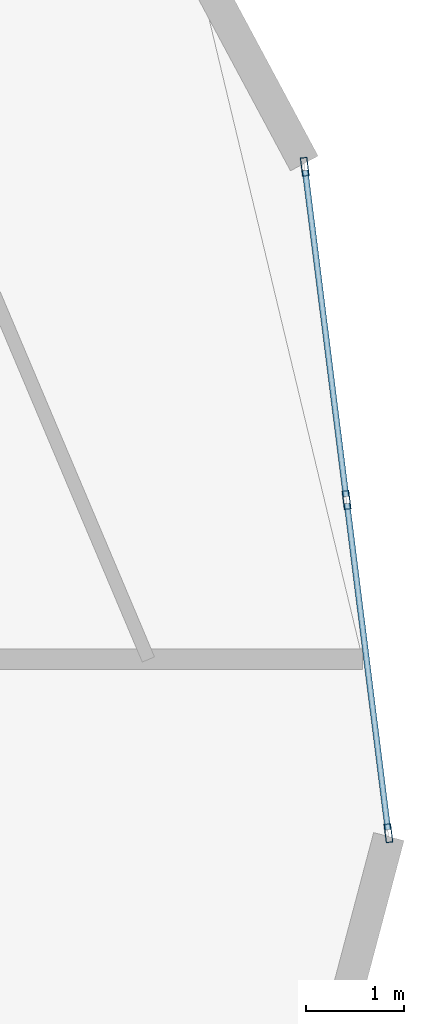
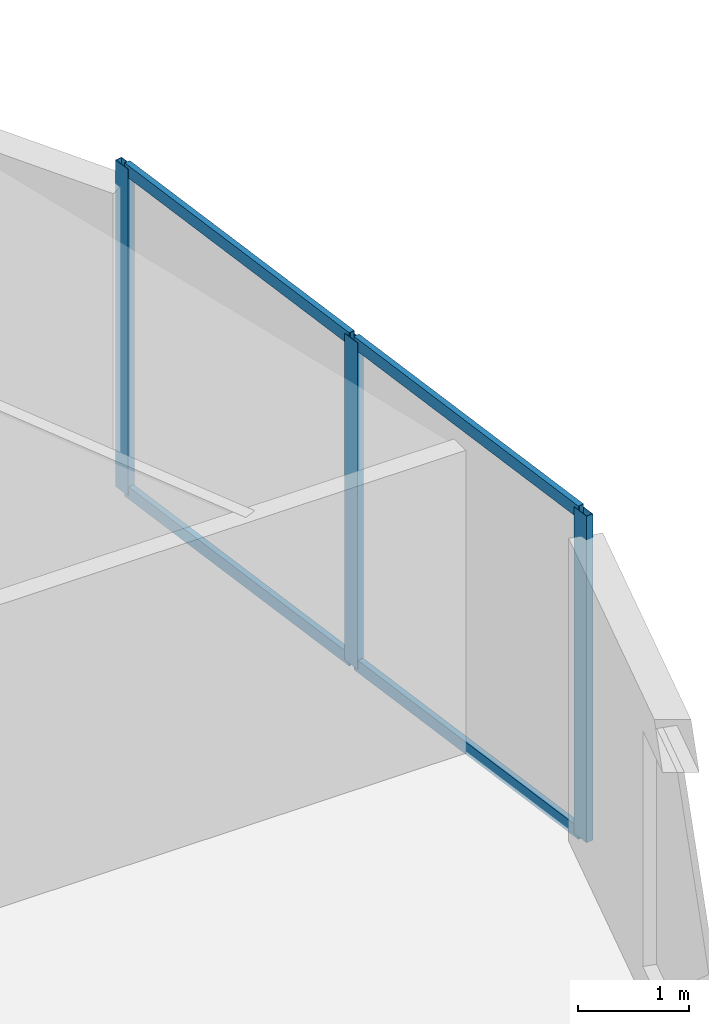
# One storey, part 12 of 26: 7 members, 1 element without a shape of its own.
"""IFC4 building model written with IfcOpenShell, lengths in metres."""

import ifcopenshell
import ifcopenshell.guid

model = None  # the IFC model being written
_history = None  # IfcOwnerHistory: only IFC2X3 demands one
_inside = {}  # id of a spatial element -> (the spatial element, [elements in it])
_under = {}  # id of a project, library or spatial element -> (it, [spatial elements below it])
_declared = {}  # id of a project -> (the project, [libraries it declares])
_typed = {}  # id of a type object -> (the type object, [elements of that type])
_made_of = {}  # id of a material, layer set ... -> (it, [elements and type objects made of it])


def new_model(schema):
    """Start an empty IFC model of exactly this schema.

    Asked for "IFC4X3", IfcOpenShell would pick the latest addendum, in which some entities
    have other attributes; the version numbers below select the first issue.
    IFC2X3 requires an IfcOwnerHistory on every rooted entity: one is made here for all.
    """
    global model, _history
    if schema == "IFC4X3":
        model = ifcopenshell.file(schema_version=(4, 3, 0, 0))
    else:
        model = ifcopenshell.file(schema=schema)
    _inside.clear()
    _under.clear()
    _declared.clear()
    _typed.clear()
    _made_of.clear()
    _history = None
    if model.schema == "IFC2X3":
        org = make("IfcOrganization", Name="unknown")
        user = make(
            "IfcPersonAndOrganization",
            ThePerson=make("IfcPerson", FamilyName="unknown"),
            TheOrganization=org,
        )
        app = make(
            "IfcApplication",
            ApplicationDeveloper=org,
            Version="unknown",
            ApplicationFullName="unknown",
            ApplicationIdentifier="unknown",
        )
        _history = make(
            "IfcOwnerHistory",
            OwningUser=user,
            OwningApplication=app,
            ChangeAction="ADDED",
            CreationDate=0,
        )
    return model


def make(cls, **values):
    """One entity of the class cls with the attributes given. An attribute that is None is left unset."""
    return model.create_entity(
        cls, **{name: value for name, value in values.items() if value is not None}
    )


def rooted(cls, **values):
    """An entity with a GlobalId (a new one), such as an element, a storey or a relation."""
    return make(cls, GlobalId=ifcopenshell.guid.new(), OwnerHistory=_history, **values)


def si_unit(unit_type, name, prefix=None):
    """IfcSIUnit, for example si_unit("LENGTHUNIT", "METRE", prefix="MILLI")."""
    return make("IfcSIUnit", UnitType=unit_type, Prefix=prefix, Name=name)


def assignment(units):
    """IfcUnitAssignment: the units of a project."""
    return None if units is None else make("IfcUnitAssignment", Units=units)


def point(xyz):
    """IfcCartesianPoint."""
    return None if xyz is None else make("IfcCartesianPoint", Coordinates=xyz)


def direction(xyz):
    """IfcDirection."""
    return None if xyz is None else make("IfcDirection", DirectionRatios=xyz)


def frame(location, z_axis=None, x_axis=None):
    """IfcAxis2Placement3D, a coordinate frame: its origin and axes. An axis left out is left unset."""
    return make(
        "IfcAxis2Placement3D",
        Location=point(location),
        Axis=direction(z_axis),
        RefDirection=direction(x_axis),
    )


def frame_2d(location, x_axis=None):
    """IfcAxis2Placement2D, a coordinate frame in the plane: its origin and x axis."""
    return make(
        "IfcAxis2Placement2D", Location=point(location), RefDirection=direction(x_axis)
    )


def origin():
    """The frame at (0, 0, 0) with its axes left unset."""
    return frame((0.0, 0.0, 0.0))


def origin_2d():
    """The frame at (0, 0) in the plane with its x axis left unset."""
    return frame_2d((0.0, 0.0))


def place(relative_to, where):
    """IfcLocalPlacement: puts the frame where relative to a parent placement (None: the world)."""
    return make(
        "IfcLocalPlacement", PlacementRelTo=relative_to, RelativePlacement=where
    )


def context(
    kind, dimensions, precision=None, world=None, true_north=None, identifier=None
):
    """IfcGeometricRepresentationContext, for example the 3D "Model" context."""
    return make(
        "IfcGeometricRepresentationContext",
        ContextIdentifier=identifier,
        ContextType=kind,
        CoordinateSpaceDimension=dimensions,
        Precision=precision,
        WorldCoordinateSystem=world,
        TrueNorth=true_north,
    )


def subcontext(parent, identifier, kind, view, scale=None):
    """IfcGeometricRepresentationSubContext, for example "Body" below "Model"."""
    return make(
        "IfcGeometricRepresentationSubContext",
        ContextIdentifier=identifier,
        ContextType=kind,
        ParentContext=parent,
        TargetScale=scale,
        TargetView=view,
    )


def project(units=None, contexts=None):
    """IfcProject with its units and contexts."""
    return rooted(
        "IfcProject",
        Name="project",
        RepresentationContexts=contexts,
        UnitsInContext=assignment(units),
    )


def spatial(cls, under=None, at=None, **own):
    """A site, building, storey or space (cls), placed at a placement, below another one or the project."""
    s = rooted(cls, ObjectPlacement=at, **own)
    if under is not None:
        _under.setdefault(under.id(), (under, []))[1].append(s)
    return s


def profile(cls, at=None, kind="AREA", **sizes):
    """A parametric profile (cls). Its sizes go by their IFC names, for example OverallWidth=200.0."""
    return make(cls, ProfileType=kind, Position=at, **sizes)


def hollow_rectangle(**sizes):
    """IfcRectangleHollowProfileDef."""
    return profile("IfcRectangleHollowProfileDef", **sizes)


def extrude(swept, where, along, depth):
    """IfcExtrudedAreaSolid: the profile swept, set in the frame where, extruded along a direction by depth."""
    return make(
        "IfcExtrudedAreaSolid",
        SweptArea=swept,
        Position=where,
        ExtrudedDirection=direction(along),
        Depth=depth,
    )


def shape(context_of_items, identifier, shape_type, items):
    """IfcShapeRepresentation: the items that make up one representation, for example the "Body"."""
    return make(
        "IfcShapeRepresentation",
        ContextOfItems=context_of_items,
        RepresentationIdentifier=identifier,
        RepresentationType=shape_type,
        Items=items,
    )


def source(mapping_origin, context_of_items, identifier, shape_type, items):
    """IfcRepresentationMap: a shape defined once, which mapped items show again and again."""
    return make(
        "IfcRepresentationMap",
        MappingOrigin=mapping_origin,
        MappedRepresentation=shape(context_of_items, identifier, shape_type, items),
    )


def transform(
    local_origin,
    x_axis=None,
    y_axis=None,
    z_axis=None,
    scale=None,
    scale2=None,
    scale3=None,
    uniform=True,
):
    """IfcCartesianTransformationOperator3D, or its non-uniform kind. x_axis, y_axis, z_axis: its Axis1, 2, 3."""
    if uniform:
        return make(
            "IfcCartesianTransformationOperator3D",
            Axis1=direction(x_axis),
            Axis2=direction(y_axis),
            LocalOrigin=point(local_origin),
            Scale=scale,
            Axis3=direction(z_axis),
        )
    return make(
        "IfcCartesianTransformationOperator3DnonUniform",
        Axis1=direction(x_axis),
        Axis2=direction(y_axis),
        LocalOrigin=point(local_origin),
        Scale=scale,
        Axis3=direction(z_axis),
        Scale2=scale2,
        Scale3=scale3,
    )


def mapped(mapping_source, mapping_target):
    """IfcMappedItem: shows the shape of a source again, moved by a transform."""
    return make(
        "IfcMappedItem", MappingSource=mapping_source, MappingTarget=mapping_target
    )


def material(Name=None, Category=None):
    """IfcMaterial."""
    return make("IfcMaterial", Name=Name, Category=Category)


def layer(
    of_material, thickness, ventilated=None, Name=None, Category=None, Priority=None
):
    """IfcMaterialLayer: one layer of a wall or slab, of a material (None: an air gap)."""
    return make(
        "IfcMaterialLayer",
        Material=of_material,
        LayerThickness=thickness,
        IsVentilated=ventilated,
        Name=Name,
        Category=Category,
        Priority=Priority,
    )


def layer_set(layers, Name=None):
    """IfcMaterialLayerSet."""
    return make("IfcMaterialLayerSet", MaterialLayers=layers, LayerSetName=Name)


def material_profile(
    of_material, cross_section, Name=None, Category=None, Priority=None
):
    """IfcMaterialProfile: a cross section and its material."""
    return make(
        "IfcMaterialProfile",
        Name=Name,
        Material=of_material,
        Profile=cross_section,
        Priority=Priority,
        Category=Category,
    )


def profile_set(profiles, Name=None, composite=None):
    """IfcMaterialProfileSet."""
    return make(
        "IfcMaterialProfileSet",
        Name=Name,
        MaterialProfiles=profiles,
        CompositeProfile=composite,
    )


def made_of(thing, what):
    """Note that an element or type object is made of a material, layer set ...; save() writes the relation."""
    if what is not None:
        _made_of.setdefault(what.id(), (what, []))[1].append(thing)
    return thing


def type_object(cls, material=None, **own):
    """A type object (cls), such as IfcWallType, which elements share."""
    return made_of(rooted(cls, **own), material)


def element(
    cls,
    number,
    at=None,
    inside=None,
    cuts=None,
    type_object=None,
    material=None,
    context=None,
    identifier="Body",
    shape_type=None,
    held_by="IfcProductDefinitionShape",
    body=None,
    shapes=None,
    **own,
):
    """One element of the class cls, such as IfcWall. Its Tag is "e" and its number.

    at: its placement. inside: the storey or other place that contains it. cuts: it is an
    opening in that element (IfcRelVoidsElement). A single representation is given by context,
    identifier, shape_type and body (its items); several are given by shapes. held_by: the class
    of the entity that holds the representations. save() writes the other relations.
    """
    e = rooted(cls, Tag="e%d" % number, ObjectPlacement=at, **own)
    if body is not None:
        shapes = [shape(context, identifier, shape_type, body)]
    if shapes is not None:
        e.Representation = make(held_by, Representations=shapes)
    if inside is not None:
        _inside.setdefault(inside.id(), (inside, []))[1].append(e)
    if cuts is not None:
        rooted(
            "IfcRelVoidsElement", RelatingBuildingElement=cuts, RelatedOpeningElement=e
        )
    if type_object is not None:
        _typed.setdefault(type_object.id(), (type_object, []))[1].append(e)
    return made_of(e, material)


def aggregate(whole, parts):
    """IfcRelAggregates: a whole, such as a stair, and the parts it consists of."""
    return rooted("IfcRelAggregates", RelatingObject=whole, RelatedObjects=parts)


def save(model, path):
    """Write the relations noted so far, then the file.

    IfcRelAggregates (storeys below a building ...), IfcRelContainedInSpatialStructure (elements
    in a storey), IfcRelDefinesByType, IfcRelAssociatesMaterial and IfcRelDeclares: one each for
    every whole, place, type object, material and project.
    """
    for whole, parts in _under.values():
        aggregate(whole, parts)
    for where, things in _inside.values():
        rooted(
            "IfcRelContainedInSpatialStructure",
            RelatedElements=things,
            RelatingStructure=where,
        )
    for kind, things in _typed.values():
        rooted("IfcRelDefinesByType", RelatedObjects=things, RelatingType=kind)
    for what, things in _made_of.values():
        rooted("IfcRelAssociatesMaterial", RelatedObjects=things, RelatingMaterial=what)
    for by, libraries in _declared.values():
        rooted("IfcRelDeclares", RelatingContext=by, RelatedDefinitions=libraries)
    model.write(path)


model = new_model("IFC4")

# Units and contexts
model_context = context("Model", 3, precision=1e-05, world=origin(), true_north=direction((0.0, 1.0)))
body_context = subcontext(model_context, "Body", "Model", "MODEL_VIEW")
ifc_project = project(units=[si_unit("LENGTHUNIT", "METRE"), si_unit("AREAUNIT", "SQUARE_METRE"), si_unit("VOLUMEUNIT", "CUBIC_METRE"), si_unit("PLANEANGLEUNIT", "RADIAN"), si_unit("MASSUNIT", "GRAM", prefix="KILO")], contexts=[model_context])

# Site, building, storey
site_placement = place(None, origin())
site = spatial("IfcSite", under=ifc_project, at=site_placement, CompositionType="ELEMENT")
building_placement = place(site_placement, origin())
building = spatial("IfcBuilding", under=site, at=building_placement, Name="Solvirekh Grand Hotel", CompositionType="ELEMENT")
storey_placement = place(building_placement, frame((0.0, 0.0, 35.60009765625)))
storey = spatial("IfcBuildingStorey", under=building, at=storey_placement, Name="L07", CompositionType="ELEMENT", Elevation=35.60009765625)

# Curtain wall, members
ifc_material = material(Name="Anodized Bronze Aluminium 6063-T6", Category="aluminium")
ifc_layer = layer(ifc_material, 0.18994140625)
ifc_layer_set = layer_set([ifc_layer], Name="Anodized Bronze Aluminium 6063-T6")
curtain_wall_type = type_object("IfcCurtainWallType", Name="CW_Sys2_LowZoneFlushBronzeCW", PredefinedType="NOTDEFINED", material=ifc_layer_set)
curtain_wall_placement = place(storey_placement, origin())
curtain_wall = element("IfcCurtainWall", 1, at=curtain_wall_placement, inside=storey, type_object=curtain_wall_type, Name="L07 unitised bronze-glass curtain wall CW-L07-C01", PredefinedType="NOTDEFINED")
ifc_material_profile_1 = material_profile(ifc_material, hollow_rectangle(XDim=0.06005859375, YDim=0.135009765625, WallThickness=0.00390625, at=origin_2d()), Name="ALU RHS 135X60X4")
ifc_profile_set_1 = profile_set([ifc_material_profile_1], Name="Anodized Bronze Aluminium 6063-T6")
member_type_1 = type_object("IfcMemberType", Name="CWTransom_Sys2", PredefinedType="USERDEFINED", material=ifc_profile_set_1)
shared_shape_1 = source(origin(), body_context, "Body", "SweptSolid", [
    extrude(hollow_rectangle(XDim=0.06005859375, YDim=0.135009765625, WallThickness=0.00390625, at=origin_2d()), origin(), (0.0, 0.0, 1.0), 3.357421875),
])
member_1_placement = place(storey_placement, frame((28.080322265625, -1.738525390625, 0.02978515625), z_axis=(-0.124634334989, 0.99220274266, 0.0), x_axis=(-0.99220274266, -0.124634334989, 0.0)))
member_1 = element("IfcMember", 2, at=member_1_placement, type_object=member_type_1, Name="U02 transom 1.1", ObjectType="TRANSOM", PredefinedType="USERDEFINED", context=body_context, shape_type="MappedRepresentation", body=[
    mapped(shared_shape_1, transform((0.0, 0.0, 0.0), x_axis=(1.0, 0.0, 0.0), y_axis=(0.0, 1.0, 0.0), z_axis=(0.0, 0.0, 1.0), scale=1.0)),
])
member_2_placement = place(storey_placement, frame((28.080322265625, -1.738525390625, 3.56982421875), z_axis=(-0.124634334989, 0.99220274266, 0.0), x_axis=(-0.99220274266, -0.124634334989, 0.0)))
member_2 = element("IfcMember", 3, at=member_2_placement, type_object=member_type_1, Name="U02 transom 1.2", ObjectType="TRANSOM", PredefinedType="USERDEFINED", context=body_context, shape_type="MappedRepresentation", body=[
    mapped(shared_shape_1, transform((0.0, 0.0, 0.0), x_axis=(1.0, 0.0, 0.0), y_axis=(0.0, 1.0, 0.0), z_axis=(0.0, 0.0, 1.0), scale=1.0)),
])
shared_shape_2 = source(origin(), body_context, "Body", "SweptSolid", [
    extrude(hollow_rectangle(XDim=0.06005859375, YDim=0.135009765625, WallThickness=0.00390625, at=origin_2d()), origin(), (0.0, 0.0, 1.0), 3.357666015625),
])
member_3_placement = place(storey_placement, frame((27.653076171875, 1.662109375, 0.02978515625), z_axis=(-0.124625343452, 0.992203872079, 0.0), x_axis=(-0.992203872079, -0.124625343452, 0.0)))
member_3 = element("IfcMember", 4, at=member_3_placement, type_object=member_type_1, Name="U02 transom 2.1", ObjectType="TRANSOM", PredefinedType="USERDEFINED", context=body_context, shape_type="MappedRepresentation", body=[
    mapped(shared_shape_2, transform((0.0, 0.0, 0.0), x_axis=(1.0, 0.0, 0.0), y_axis=(0.0, 1.0, 0.0), z_axis=(0.0, 0.0, 1.0), scale=1.0)),
])
member_4_placement = place(storey_placement, frame((27.653076171875, 1.662109375, 3.56982421875), z_axis=(-0.124625343452, 0.992203872079, 0.0), x_axis=(-0.992203872079, -0.124625343452, 0.0)))
member_4 = element("IfcMember", 5, at=member_4_placement, type_object=member_type_1, Name="U02 transom 2.2", ObjectType="TRANSOM", PredefinedType="USERDEFINED", context=body_context, shape_type="MappedRepresentation", body=[
    mapped(shared_shape_2, transform((0.0, 0.0, 0.0), x_axis=(1.0, 0.0, 0.0), y_axis=(0.0, 1.0, 0.0), z_axis=(0.0, 0.0, 1.0), scale=1.0)),
])
ifc_material_profile_2 = material_profile(ifc_material, hollow_rectangle(XDim=0.070068359375, YDim=0.18994140625, WallThickness=0.0048828125, at=origin_2d()), Name="ALU RHS 190X70X5")
ifc_profile_set_2 = profile_set([ifc_material_profile_2], Name="Anodized Bronze Aluminium 6063-T6")
member_type_2 = type_object("IfcMemberType", Name="CWMullion_Sys2", PredefinedType="MULLION", material=ifc_profile_set_2)
shared_shape_3 = source(origin(), body_context, "Body", "SweptSolid", [
    extrude(hollow_rectangle(XDim=0.070068359375, YDim=0.18994140625, WallThickness=0.0048828125, at=origin_2d()), origin(), (0.0, 0.0, 1.0), 3.599853515625),
])
member_5_placement = place(storey_placement, frame((28.084716796875, -1.773193359375, 0.0), z_axis=(0.0, 0.0, 1.0), x_axis=(-0.992204390249, -0.124621217979, 0.0)))
member_5 = element("IfcMember", 6, at=member_5_placement, type_object=member_type_2, Name="U02 mullion 1", PredefinedType="MULLION", context=body_context, shape_type="MappedRepresentation", body=[
    mapped(shared_shape_3, transform((0.0, 0.0, 0.0), x_axis=(1.0, 0.0, 0.0), y_axis=(0.0, 1.0, 0.0), z_axis=(0.0, 0.0, 1.0), scale=1.0)),
])
member_6_placement = place(storey_placement, frame((27.657470703125, 1.62744140625, 0.0), z_axis=(0.0, 0.0, 1.0), x_axis=(-0.992204390249, -0.124621217979, 0.0)))
member_6 = element("IfcMember", 7, at=member_6_placement, type_object=member_type_2, Name="U02 mullion 2", PredefinedType="MULLION", context=body_context, shape_type="MappedRepresentation", body=[
    mapped(shared_shape_3, transform((0.0, 0.0, 0.0), x_axis=(1.0, 0.0, 0.0), y_axis=(0.0, 1.0, 0.0), z_axis=(0.0, 0.0, 1.0), scale=1.0)),
])
member_7_placement = place(storey_placement, frame((27.23046875, 5.0283203125, 0.0), z_axis=(0.0, 0.0, 1.0), x_axis=(-0.992204390249, -0.124621217979, 0.0)))
member_7 = element("IfcMember", 8, at=member_7_placement, type_object=member_type_2, Name="U02 mullion 3", PredefinedType="MULLION", context=body_context, shape_type="MappedRepresentation", body=[
    mapped(shared_shape_3, transform((0.0, 0.0, 0.0), x_axis=(1.0, 0.0, 0.0), y_axis=(0.0, 1.0, 0.0), z_axis=(0.0, 0.0, 1.0), scale=1.0)),
])
aggregate(curtain_wall, [member_5, member_6, member_7, member_1, member_2, member_3, member_4])

save(model, "model.ifc")
